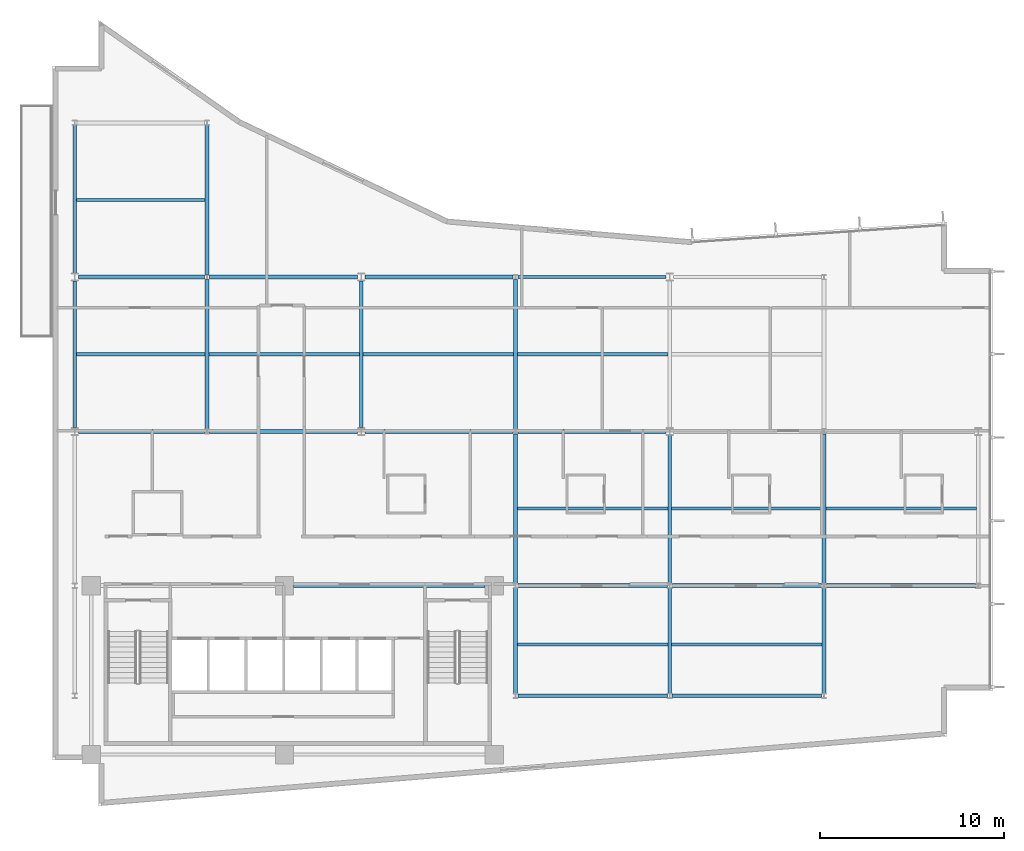
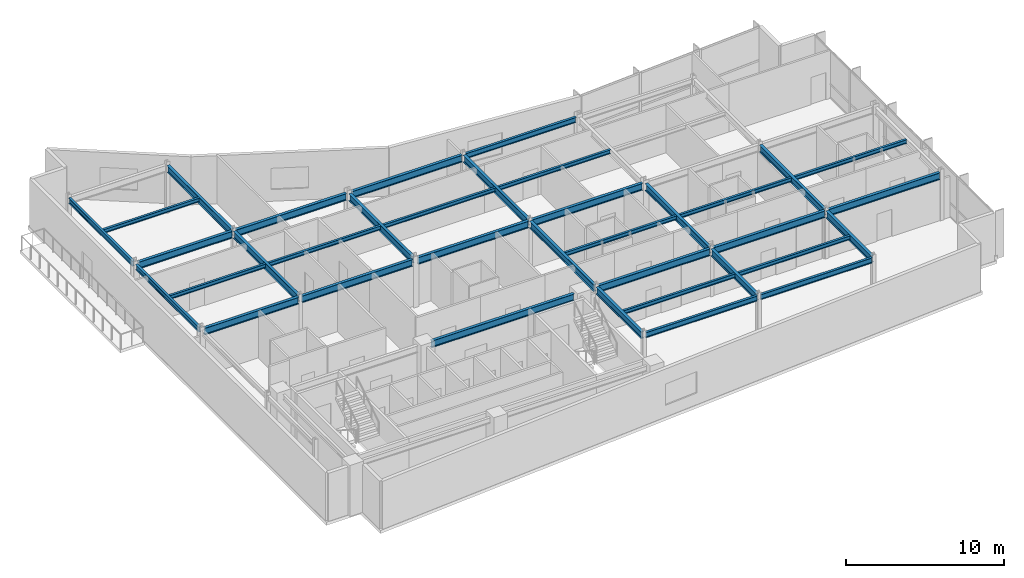
# One storey, part 4 of 17: 36 beams.
"""IFC4 building model written with IfcOpenShell, lengths in metres."""

import ifcopenshell
import ifcopenshell.guid

model = None  # the IFC model being written
_history = None  # IfcOwnerHistory: only IFC2X3 demands one
_inside = {}  # id of a spatial element -> (the spatial element, [elements in it])
_under = {}  # id of a project, library or spatial element -> (it, [spatial elements below it])
_declared = {}  # id of a project -> (the project, [libraries it declares])
_typed = {}  # id of a type object -> (the type object, [elements of that type])
_made_of = {}  # id of a material, layer set ... -> (it, [elements and type objects made of it])


def new_model(schema):
    """Start an empty IFC model of exactly this schema.

    Asked for "IFC4X3", IfcOpenShell would pick the latest addendum, in which some entities
    have other attributes; the version numbers below select the first issue.
    IFC2X3 requires an IfcOwnerHistory on every rooted entity: one is made here for all.
    """
    global model, _history
    if schema == "IFC4X3":
        model = ifcopenshell.file(schema_version=(4, 3, 0, 0))
    else:
        model = ifcopenshell.file(schema=schema)
    _inside.clear()
    _under.clear()
    _declared.clear()
    _typed.clear()
    _made_of.clear()
    _history = None
    if model.schema == "IFC2X3":
        org = make("IfcOrganization", Name="unknown")
        user = make(
            "IfcPersonAndOrganization",
            ThePerson=make("IfcPerson", FamilyName="unknown"),
            TheOrganization=org,
        )
        app = make(
            "IfcApplication",
            ApplicationDeveloper=org,
            Version="unknown",
            ApplicationFullName="unknown",
            ApplicationIdentifier="unknown",
        )
        _history = make(
            "IfcOwnerHistory",
            OwningUser=user,
            OwningApplication=app,
            ChangeAction="ADDED",
            CreationDate=0,
        )
    return model


def make(cls, **values):
    """One entity of the class cls with the attributes given. An attribute that is None is left unset."""
    return model.create_entity(
        cls, **{name: value for name, value in values.items() if value is not None}
    )


def rooted(cls, **values):
    """An entity with a GlobalId (a new one), such as an element, a storey or a relation."""
    return make(cls, GlobalId=ifcopenshell.guid.new(), OwnerHistory=_history, **values)


def si_unit(unit_type, name, prefix=None):
    """IfcSIUnit, for example si_unit("LENGTHUNIT", "METRE", prefix="MILLI")."""
    return make("IfcSIUnit", UnitType=unit_type, Prefix=prefix, Name=name)


def assignment(units):
    """IfcUnitAssignment: the units of a project."""
    return None if units is None else make("IfcUnitAssignment", Units=units)


def point(xyz):
    """IfcCartesianPoint."""
    return None if xyz is None else make("IfcCartesianPoint", Coordinates=xyz)


def direction(xyz):
    """IfcDirection."""
    return None if xyz is None else make("IfcDirection", DirectionRatios=xyz)


def frame(location, z_axis=None, x_axis=None):
    """IfcAxis2Placement3D, a coordinate frame: its origin and axes. An axis left out is left unset."""
    return make(
        "IfcAxis2Placement3D",
        Location=point(location),
        Axis=direction(z_axis),
        RefDirection=direction(x_axis),
    )


def frame_2d(location, x_axis=None):
    """IfcAxis2Placement2D, a coordinate frame in the plane: its origin and x axis."""
    return make(
        "IfcAxis2Placement2D", Location=point(location), RefDirection=direction(x_axis)
    )


def origin():
    """The frame at (0, 0, 0) with its axes left unset."""
    return frame((0.0, 0.0, 0.0))


def origin_2d():
    """The frame at (0, 0) in the plane with its x axis left unset."""
    return frame_2d((0.0, 0.0))


def place(relative_to, where):
    """IfcLocalPlacement: puts the frame where relative to a parent placement (None: the world)."""
    return make(
        "IfcLocalPlacement", PlacementRelTo=relative_to, RelativePlacement=where
    )


def context(
    kind, dimensions, precision=None, world=None, true_north=None, identifier=None
):
    """IfcGeometricRepresentationContext, for example the 3D "Model" context."""
    return make(
        "IfcGeometricRepresentationContext",
        ContextIdentifier=identifier,
        ContextType=kind,
        CoordinateSpaceDimension=dimensions,
        Precision=precision,
        WorldCoordinateSystem=world,
        TrueNorth=true_north,
    )


def subcontext(parent, identifier, kind, view, scale=None):
    """IfcGeometricRepresentationSubContext, for example "Body" below "Model"."""
    return make(
        "IfcGeometricRepresentationSubContext",
        ContextIdentifier=identifier,
        ContextType=kind,
        ParentContext=parent,
        TargetScale=scale,
        TargetView=view,
    )


def project(units=None, contexts=None):
    """IfcProject with its units and contexts."""
    return rooted(
        "IfcProject",
        Name="project",
        RepresentationContexts=contexts,
        UnitsInContext=assignment(units),
    )


def spatial(cls, under=None, at=None, **own):
    """A site, building, storey or space (cls), placed at a placement, below another one or the project."""
    s = rooted(cls, ObjectPlacement=at, **own)
    if under is not None:
        _under.setdefault(under.id(), (under, []))[1].append(s)
    return s


def profile(cls, at=None, kind="AREA", **sizes):
    """A parametric profile (cls). Its sizes go by their IFC names, for example OverallWidth=200.0."""
    return make(cls, ProfileType=kind, Position=at, **sizes)


def i_section(**sizes):
    """IfcIShapeProfileDef."""
    return profile("IfcIShapeProfileDef", **sizes)


def extrude(swept, where, along, depth):
    """IfcExtrudedAreaSolid: the profile swept, set in the frame where, extruded along a direction by depth."""
    return make(
        "IfcExtrudedAreaSolid",
        SweptArea=swept,
        Position=where,
        ExtrudedDirection=direction(along),
        Depth=depth,
    )


def shape(context_of_items, identifier, shape_type, items):
    """IfcShapeRepresentation: the items that make up one representation, for example the "Body"."""
    return make(
        "IfcShapeRepresentation",
        ContextOfItems=context_of_items,
        RepresentationIdentifier=identifier,
        RepresentationType=shape_type,
        Items=items,
    )


def material(Name=None, Category=None):
    """IfcMaterial."""
    return make("IfcMaterial", Name=Name, Category=Category)


def material_profile(
    of_material, cross_section, Name=None, Category=None, Priority=None
):
    """IfcMaterialProfile: a cross section and its material."""
    return make(
        "IfcMaterialProfile",
        Name=Name,
        Material=of_material,
        Profile=cross_section,
        Priority=Priority,
        Category=Category,
    )


def profile_set(profiles, Name=None, composite=None):
    """IfcMaterialProfileSet."""
    return make(
        "IfcMaterialProfileSet",
        Name=Name,
        MaterialProfiles=profiles,
        CompositeProfile=composite,
    )


def made_of(thing, what):
    """Note that an element or type object is made of a material, layer set ...; save() writes the relation."""
    if what is not None:
        _made_of.setdefault(what.id(), (what, []))[1].append(thing)
    return thing


def type_object(cls, material=None, **own):
    """A type object (cls), such as IfcWallType, which elements share."""
    return made_of(rooted(cls, **own), material)


def element(
    cls,
    number,
    at=None,
    inside=None,
    cuts=None,
    type_object=None,
    material=None,
    context=None,
    identifier="Body",
    shape_type=None,
    held_by="IfcProductDefinitionShape",
    body=None,
    shapes=None,
    **own,
):
    """One element of the class cls, such as IfcWall. Its Tag is "e" and its number.

    at: its placement. inside: the storey or other place that contains it. cuts: it is an
    opening in that element (IfcRelVoidsElement). A single representation is given by context,
    identifier, shape_type and body (its items); several are given by shapes. held_by: the class
    of the entity that holds the representations. save() writes the other relations.
    """
    e = rooted(cls, Tag="e%d" % number, ObjectPlacement=at, **own)
    if body is not None:
        shapes = [shape(context, identifier, shape_type, body)]
    if shapes is not None:
        e.Representation = make(held_by, Representations=shapes)
    if inside is not None:
        _inside.setdefault(inside.id(), (inside, []))[1].append(e)
    if cuts is not None:
        rooted(
            "IfcRelVoidsElement", RelatingBuildingElement=cuts, RelatedOpeningElement=e
        )
    if type_object is not None:
        _typed.setdefault(type_object.id(), (type_object, []))[1].append(e)
    return made_of(e, material)


def aggregate(whole, parts):
    """IfcRelAggregates: a whole, such as a stair, and the parts it consists of."""
    return rooted("IfcRelAggregates", RelatingObject=whole, RelatedObjects=parts)


def save(model, path):
    """Write the relations noted so far, then the file.

    IfcRelAggregates (storeys below a building ...), IfcRelContainedInSpatialStructure (elements
    in a storey), IfcRelDefinesByType, IfcRelAssociatesMaterial and IfcRelDeclares: one each for
    every whole, place, type object, material and project.
    """
    for whole, parts in _under.values():
        aggregate(whole, parts)
    for where, things in _inside.values():
        rooted(
            "IfcRelContainedInSpatialStructure",
            RelatedElements=things,
            RelatingStructure=where,
        )
    for kind, things in _typed.values():
        rooted("IfcRelDefinesByType", RelatedObjects=things, RelatingType=kind)
    for what, things in _made_of.values():
        rooted("IfcRelAssociatesMaterial", RelatedObjects=things, RelatingMaterial=what)
    for by, libraries in _declared.values():
        rooted("IfcRelDeclares", RelatingContext=by, RelatedDefinitions=libraries)
    model.write(path)


model = new_model("IFC4")

# Units and contexts
model_context = context("Model", 3, precision=1e-05, world=origin(), true_north=direction((0.0, 1.0)))
body_context = subcontext(model_context, "Body", "Model", "MODEL_VIEW")
ifc_project = project(units=[si_unit("LENGTHUNIT", "METRE"), si_unit("AREAUNIT", "SQUARE_METRE"), si_unit("VOLUMEUNIT", "CUBIC_METRE"), si_unit("PLANEANGLEUNIT", "RADIAN"), si_unit("MASSUNIT", "GRAM", prefix="KILO")], contexts=[model_context])

# Site, building, storey
site_placement = place(None, origin())
site = spatial("IfcSite", under=ifc_project, at=site_placement, CompositionType="ELEMENT")
building_placement = place(site_placement, origin())
building = spatial("IfcBuilding", under=site, at=building_placement, Name="Varnakote Quay Hospital", CompositionType="ELEMENT")
storey_placement = place(building_placement, frame((0.0, 0.0, 203.949951171875)))
storey = spatial("IfcBuildingStorey", under=building, at=storey_placement, Name="L50", CompositionType="ELEMENT", Elevation=203.949951171875)

# Beams
ifc_material_1 = material(Name="Structural steel AS/NZS 3679.1 Grade 350 L0 (fy 340 MPa)", Category="steel")
ifc_material_profile_1 = material_profile(ifc_material_1, i_section(OverallWidth=0.208984375, OverallDepth=0.528076171875, WebThickness=0.009521484375, FlangeThickness=0.01318359375, FilletRadius=0.013916015625, at=origin_2d()), Name="530UB82.0")
ifc_profile_set_1 = profile_set([ifc_material_profile_1], Name="Structural steel AS/NZS 3679.1 Grade 350 L0 (fy 340 MPa)")
beam_type_1 = type_object("IfcBeamType", Name="BM-STL-530UB82-0", PredefinedType="BEAM", material=ifc_profile_set_1)
beam_1_placement = place(storey_placement, frame((8.39990234375, 20.530029296875, 3.446044921875), z_axis=(0.0, 1.0, 0.0), x_axis=(-1.0, 0.0, 0.0)))
element("IfcBeam", 1, at=beam_1_placement, inside=storey, type_object=beam_type_1, Name="L50 Primary Tie Beam", PredefinedType="BEAM", context=body_context, shape_type="SweptSolid", body=[
    extrude(i_section(OverallWidth=0.208984375, OverallDepth=0.528076171875, WebThickness=0.009521484375, FlangeThickness=0.01318359375, FilletRadius=0.013916015625, at=origin_2d()), origin(), (0.0, 0.0, 1.0), 8.139892578125),
])
beam_2_placement = place(storey_placement, frame((8.39990234375, 28.929931640625, 3.446044921875), z_axis=(0.0, 1.0, 0.0), x_axis=(-1.0, 0.0, 0.0)))
element("IfcBeam", 2, at=beam_2_placement, inside=storey, type_object=beam_type_1, Name="L50 Primary Tie Beam", PredefinedType="BEAM", context=body_context, shape_type="SweptSolid", body=[
    extrude(i_section(OverallWidth=0.208984375, OverallDepth=0.528076171875, WebThickness=0.009521484375, FlangeThickness=0.01318359375, FilletRadius=0.013916015625, at=origin_2d()), origin(), (0.0, 0.0, 1.0), 8.14013671875),
])
beam_3_placement = place(storey_placement, frame((16.800048828125, 20.60205078125, 3.446044921875), z_axis=(0.0, 1.0, 0.0), x_axis=(-1.0, 0.0, 0.0)))
element("IfcBeam", 3, at=beam_3_placement, inside=storey, type_object=beam_type_1, Name="L50 Primary Tie Beam", PredefinedType="BEAM", context=body_context, shape_type="SweptSolid", body=[
    extrude(i_section(OverallWidth=0.208984375, OverallDepth=0.528076171875, WebThickness=0.009521484375, FlangeThickness=0.01318359375, FilletRadius=0.013916015625, at=origin_2d()), origin(), (0.0, 0.0, 1.0), 7.995849609375),
])
beam_4_placement = place(storey_placement, frame((25.199951171875, 6.1298828125, 3.446044921875), z_axis=(0.0, 1.0, 0.0), x_axis=(-1.0, 0.0, 0.0)))
element("IfcBeam", 4, at=beam_4_placement, inside=storey, type_object=beam_type_1, Name="L50 Primary Tie Beam", PredefinedType="BEAM", context=body_context, shape_type="SweptSolid", body=[
    extrude(i_section(OverallWidth=0.208984375, OverallDepth=0.528076171875, WebThickness=0.009521484375, FlangeThickness=0.01318359375, FilletRadius=0.013916015625, at=origin_2d()), origin(), (0.0, 0.0, 1.0), 5.740234375),
])
beam_5_placement = place(storey_placement, frame((25.199951171875, 12.1298828125, 3.446044921875), z_axis=(0.0, 1.0, 0.0), x_axis=(-1.0, 0.0, 0.0)))
element("IfcBeam", 5, at=beam_5_placement, inside=storey, type_object=beam_type_1, Name="L50 Primary Tie Beam", PredefinedType="BEAM", context=body_context, shape_type="SweptSolid", body=[
    extrude(i_section(OverallWidth=0.208984375, OverallDepth=0.528076171875, WebThickness=0.009521484375, FlangeThickness=0.01318359375, FilletRadius=0.013916015625, at=origin_2d()), origin(), (0.0, 0.0, 1.0), 8.14013671875),
])
beam_6_placement = place(storey_placement, frame((25.199951171875, 20.530029296875, 3.446044921875), z_axis=(0.0, 1.0, 0.0), x_axis=(-1.0, 0.0, 0.0)))
element("IfcBeam", 6, at=beam_6_placement, inside=storey, type_object=beam_type_1, Name="L50 Primary Tie Beam", PredefinedType="BEAM", context=body_context, shape_type="SweptSolid", body=[
    extrude(i_section(OverallWidth=0.208984375, OverallDepth=0.528076171875, WebThickness=0.009521484375, FlangeThickness=0.01318359375, FilletRadius=0.013916015625, at=origin_2d()), origin(), (0.0, 0.0, 1.0), 8.139892578125),
])
beam_7_placement = place(storey_placement, frame((33.60009765625, 6.1298828125, 3.446044921875), z_axis=(0.0, 1.0, 0.0), x_axis=(-1.0, 0.0, 0.0)))
element("IfcBeam", 7, at=beam_7_placement, inside=storey, type_object=beam_type_1, Name="L50 Primary Tie Beam", PredefinedType="BEAM", context=body_context, shape_type="SweptSolid", body=[
    extrude(i_section(OverallWidth=0.208984375, OverallDepth=0.528076171875, WebThickness=0.009521484375, FlangeThickness=0.01318359375, FilletRadius=0.013916015625, at=origin_2d()), origin(), (0.0, 0.0, 1.0), 5.740234375),
])
beam_8_placement = place(storey_placement, frame((33.60009765625, 12.1298828125, 3.446044921875), z_axis=(0.0, 1.0, 0.0), x_axis=(-1.0, 0.0, 0.0)))
element("IfcBeam", 8, at=beam_8_placement, inside=storey, type_object=beam_type_1, Name="L50 Primary Tie Beam", PredefinedType="BEAM", context=body_context, shape_type="SweptSolid", body=[
    extrude(i_section(OverallWidth=0.208984375, OverallDepth=0.528076171875, WebThickness=0.009521484375, FlangeThickness=0.01318359375, FilletRadius=0.013916015625, at=origin_2d()), origin(), (0.0, 0.0, 1.0), 8.068115234375),
])
beam_9_placement = place(storey_placement, frame((42.0, 6.1298828125, 3.446044921875), z_axis=(0.0, 1.0, 0.0), x_axis=(-1.0, 0.0, 0.0)))
element("IfcBeam", 9, at=beam_9_placement, inside=storey, type_object=beam_type_1, Name="L50 Primary Tie Beam", PredefinedType="BEAM", context=body_context, shape_type="SweptSolid", body=[
    extrude(i_section(OverallWidth=0.208984375, OverallDepth=0.528076171875, WebThickness=0.009521484375, FlangeThickness=0.01318359375, FilletRadius=0.013916015625, at=origin_2d()), origin(), (0.0, 0.0, 1.0), 5.740234375),
])
beam_10_placement = place(storey_placement, frame((42.0, 12.1298828125, 3.446044921875), z_axis=(0.0, 1.0, 0.0), x_axis=(-1.0, 0.0, 0.0)))
element("IfcBeam", 10, at=beam_10_placement, inside=storey, type_object=beam_type_1, Name="L50 Primary Tie Beam", PredefinedType="BEAM", context=body_context, shape_type="SweptSolid", body=[
    extrude(i_section(OverallWidth=0.208984375, OverallDepth=0.528076171875, WebThickness=0.009521484375, FlangeThickness=0.01318359375, FilletRadius=0.013916015625, at=origin_2d()), origin(), (0.0, 0.0, 1.0), 8.14013671875),
])
ifc_material_2 = material(Name="Structural steel AS/NZS 3679.1 Grade 350 L0 (fy 340 MPa)", Category="steel")
ifc_material_profile_2 = material_profile(ifc_material_2, i_section(OverallWidth=0.208984375, OverallDepth=0.532958984375, WebThickness=0.01025390625, FlangeThickness=0.015625, FilletRadius=0.013916015625, at=origin_2d()), Name="530UB92.4")
ifc_profile_set_2 = profile_set([ifc_material_profile_2], Name="Structural steel AS/NZS 3679.1 Grade 350 L0 (fy 340 MPa)")
beam_type_2 = type_object("IfcBeamType", Name="BM-STL-530UB92-4", PredefinedType="BEAM", material=ifc_profile_set_2)
beam_11_placement = place(storey_placement, frame((13.1201171875, 12.0, 3.443603515625), z_axis=(1.0, 0.0, 0.0), x_axis=(0.0, 1.0, 0.0)))
element("IfcBeam", 11, at=beam_11_placement, inside=storey, type_object=beam_type_2, Name="L50 Primary Floor Beam", PredefinedType="BEAM", context=body_context, shape_type="SweptSolid", body=[
    extrude(i_section(OverallWidth=0.208984375, OverallDepth=0.532958984375, WebThickness=0.01025390625, FlangeThickness=0.015625, FilletRadius=0.013916015625, at=origin_2d()), origin(), (0.0, 0.0, 1.0), 10.429931640625),
])
for number, where, z_axis, x_axis, name in (
    (12, (25.327880859375, 12.0, 3.443603515625), (1.0, 0.0, 0.0), (0.0, 1.0, 0.0), "L50 Primary Floor Beam"),
    (13, (33.72802734375, 12.0, 3.443603515625), (1.0, 0.0, 0.0), (0.0, 1.0, 0.0), "L50 Primary Floor Beam"),
    (14, (42.1279296875, 12.0, 3.443603515625), (1.0, 0.0, 0.0), (0.0, 1.0, 0.0), "L50 Primary Floor Beam"),
):
    element("IfcBeam", number, at=place(storey_placement, frame(where, z_axis=z_axis, x_axis=x_axis)), inside=storey, type_object=beam_type_2, Name=name, PredefinedType="BEAM", context=body_context, shape_type="SweptSolid", body=[
        extrude(i_section(OverallWidth=0.208984375, OverallDepth=0.532958984375, WebThickness=0.01025390625, FlangeThickness=0.015625, FilletRadius=0.013916015625, at=origin_2d()), origin(), (0.0, 0.0, 1.0), 8.14404296875),
    ])
beam_12_placement = place(storey_placement, frame((1.39990234375, 20.39990234375, 3.443603515625), z_axis=(1.0, 0.0, 0.0), x_axis=(0.0, 1.0, 0.0)))
element("IfcBeam", 15, at=beam_12_placement, inside=storey, type_object=beam_type_2, Name="L50 Primary Floor Beam", PredefinedType="BEAM", context=body_context, shape_type="SweptSolid", body=[
    extrude(i_section(OverallWidth=0.208984375, OverallDepth=0.532958984375, WebThickness=0.01025390625, FlangeThickness=0.015625, FilletRadius=0.013916015625, at=origin_2d()), origin(), (0.0, 0.0, 1.0), 6.8720703125),
])
for number, where, z_axis, x_axis, name in (
    (16, (8.528076171875, 20.39990234375, 3.443603515625), (1.0, 0.0, 0.0), (0.0, 1.0, 0.0), "L50 Primary Floor Beam"),
    (17, (17.0, 20.39990234375, 3.443603515625), (1.0, 0.0, 0.0), (0.0, 1.0, 0.0), "L50 Primary Floor Beam"),
    (18, (25.327880859375, 20.39990234375, 3.443603515625), (1.0, 0.0, 0.0), (0.0, 1.0, 0.0), "L50 Primary Floor Beam"),
):
    element("IfcBeam", number, at=place(storey_placement, frame(where, z_axis=z_axis, x_axis=x_axis)), inside=storey, type_object=beam_type_2, Name=name, PredefinedType="BEAM", context=body_context, shape_type="SweptSolid", body=[
        extrude(i_section(OverallWidth=0.208984375, OverallDepth=0.532958984375, WebThickness=0.01025390625, FlangeThickness=0.015625, FilletRadius=0.013916015625, at=origin_2d()), origin(), (0.0, 0.0, 1.0), 8.072021484375),
    ])
beam_13_placement = place(storey_placement, frame((1.39990234375, 28.800048828125, 3.443603515625), z_axis=(1.0, 0.0, 0.0), x_axis=(0.0, 1.0, 0.0)))
element("IfcBeam", 19, at=beam_13_placement, inside=storey, type_object=beam_type_2, Name="L50 Primary Floor Beam", PredefinedType="BEAM", context=body_context, shape_type="SweptSolid", body=[
    extrude(i_section(OverallWidth=0.208984375, OverallDepth=0.532958984375, WebThickness=0.01025390625, FlangeThickness=0.015625, FilletRadius=0.013916015625, at=origin_2d()), origin(), (0.0, 0.0, 1.0), 6.8720703125),
])
for number, where, z_axis, x_axis, name in (
    (20, (8.528076171875, 28.800048828125, 3.443603515625), (1.0, 0.0, 0.0), (0.0, 1.0, 0.0), "L50 Primary Floor Beam"),
    (21, (17.0, 28.800048828125, 3.443603515625), (1.0, 0.0, 0.0), (0.0, 1.0, 0.0), "L50 Primary Floor Beam"),
):
    element("IfcBeam", number, at=place(storey_placement, frame(where, z_axis=z_axis, x_axis=x_axis)), inside=storey, type_object=beam_type_2, Name=name, PredefinedType="BEAM", context=body_context, shape_type="SweptSolid", body=[
        extrude(i_section(OverallWidth=0.208984375, OverallDepth=0.532958984375, WebThickness=0.01025390625, FlangeThickness=0.015625, FilletRadius=0.013916015625, at=origin_2d()), origin(), (0.0, 0.0, 1.0), 8.072021484375),
    ])
ifc_material_3 = material(Name="Structural steel AS/NZS 3679.1 Grade 350 L0 (fy 340 MPa)", Category="steel")
ifc_material_profile_3 = material_profile(ifc_material_3, i_section(OverallWidth=0.1650390625, OverallDepth=0.303955078125, WebThickness=0.006103515625, FlangeThickness=0.01025390625, FilletRadius=0.011474609375, at=origin_2d()), Name="310UB40.4")
ifc_profile_set_3 = profile_set([ifc_material_profile_3], Name="Structural steel AS/NZS 3679.1 Grade 350 L0 (fy 340 MPa)")
beam_type_3 = type_object("IfcBeamType", Name="JST-STL-310UB40-4", PredefinedType="JOIST", material=ifc_profile_set_3)
beam_14_placement = place(storey_placement, frame((25.304443359375, 8.800048828125, 3.55810546875), z_axis=(1.0, 0.0, 0.0), x_axis=(0.0, 1.0, 0.0)))
element("IfcBeam", 22, at=beam_14_placement, inside=storey, type_object=beam_type_3, Name="L50 Composite Floor Joist", PredefinedType="JOIST", context=body_context, shape_type="SweptSolid", body=[
    extrude(i_section(OverallWidth=0.1650390625, OverallDepth=0.303955078125, WebThickness=0.006103515625, FlangeThickness=0.01025390625, FilletRadius=0.011474609375, at=origin_2d()), origin(), (0.0, 0.0, 1.0), 8.191162109375),
])
beam_15_placement = place(storey_placement, frame((33.70458984375, 8.800048828125, 3.55810546875), z_axis=(1.0, 0.0, 0.0), x_axis=(0.0, 1.0, 0.0)))
element("IfcBeam", 23, at=beam_15_placement, inside=storey, type_object=beam_type_3, Name="L50 Composite Floor Joist", PredefinedType="JOIST", context=body_context, shape_type="SweptSolid", body=[
    extrude(i_section(OverallWidth=0.1650390625, OverallDepth=0.303955078125, WebThickness=0.006103515625, FlangeThickness=0.01025390625, FilletRadius=0.011474609375, at=origin_2d()), origin(), (0.0, 0.0, 1.0), 8.19091796875),
])
beam_16_placement = place(storey_placement, frame((25.304443359375, 16.199951171875, 3.55810546875), z_axis=(1.0, 0.0, 0.0), x_axis=(0.0, 1.0, 0.0)))
element("IfcBeam", 24, at=beam_16_placement, inside=storey, type_object=beam_type_3, Name="L50 Composite Floor Joist", PredefinedType="JOIST", context=body_context, shape_type="SweptSolid", body=[
    extrude(i_section(OverallWidth=0.1650390625, OverallDepth=0.303955078125, WebThickness=0.006103515625, FlangeThickness=0.01025390625, FilletRadius=0.011474609375, at=origin_2d()), origin(), (0.0, 0.0, 1.0), 8.191162109375),
])
for number, where, z_axis, x_axis, name in (
    (25, (33.70458984375, 16.199951171875, 3.55810546875), (1.0, 0.0, 0.0), (0.0, 1.0, 0.0), "L50 Composite Floor Joist"),
    (26, (42.1044921875, 16.199951171875, 3.55810546875), (1.0, 0.0, 0.0), (0.0, 1.0, 0.0), "L50 Composite Floor Joist"),
):
    element("IfcBeam", number, at=place(storey_placement, frame(where, z_axis=z_axis, x_axis=x_axis)), inside=storey, type_object=beam_type_3, Name=name, PredefinedType="JOIST", context=body_context, shape_type="SweptSolid", body=[
        extrude(i_section(OverallWidth=0.1650390625, OverallDepth=0.303955078125, WebThickness=0.006103515625, FlangeThickness=0.01025390625, FilletRadius=0.011474609375, at=origin_2d()), origin(), (0.0, 0.0, 1.0), 8.19091796875),
    ])
beam_17_placement = place(storey_placement, frame((1.2890625, 24.60009765625, 3.55810546875), z_axis=(1.0, 0.0, 0.0), x_axis=(0.0, 1.0, 0.0)))
element("IfcBeam", 27, at=beam_17_placement, inside=storey, type_object=beam_type_3, Name="L50 Composite Floor Joist", PredefinedType="JOIST", context=body_context, shape_type="SweptSolid", body=[
    extrude(i_section(OverallWidth=0.1650390625, OverallDepth=0.303955078125, WebThickness=0.006103515625, FlangeThickness=0.01025390625, FilletRadius=0.011474609375, at=origin_2d()), origin(), (0.0, 0.0, 1.0), 7.00634765625),
])
beam_18_placement = place(storey_placement, frame((8.50439453125, 24.60009765625, 3.55810546875), z_axis=(1.0, 0.0, 0.0), x_axis=(0.0, 1.0, 0.0)))
element("IfcBeam", 28, at=beam_18_placement, inside=storey, type_object=beam_type_3, Name="L50 Composite Floor Joist", PredefinedType="JOIST", context=body_context, shape_type="SweptSolid", body=[
    extrude(i_section(OverallWidth=0.1650390625, OverallDepth=0.303955078125, WebThickness=0.006103515625, FlangeThickness=0.01025390625, FilletRadius=0.011474609375, at=origin_2d()), origin(), (0.0, 0.0, 1.0), 8.191162109375),
])
beam_19_placement = place(storey_placement, frame((16.904541015625, 24.60009765625, 3.55810546875), z_axis=(1.0, 0.0, 0.0), x_axis=(0.0, 1.0, 0.0)))
element("IfcBeam", 29, at=beam_19_placement, inside=storey, type_object=beam_type_3, Name="L50 Composite Floor Joist", PredefinedType="JOIST", context=body_context, shape_type="SweptSolid", body=[
    extrude(i_section(OverallWidth=0.1650390625, OverallDepth=0.303955078125, WebThickness=0.006103515625, FlangeThickness=0.01025390625, FilletRadius=0.011474609375, at=origin_2d()), origin(), (0.0, 0.0, 1.0), 8.19091796875),
])
beam_20_placement = place(storey_placement, frame((25.304443359375, 24.60009765625, 3.55810546875), z_axis=(1.0, 0.0, 0.0), x_axis=(0.0, 1.0, 0.0)))
element("IfcBeam", 30, at=beam_20_placement, inside=storey, type_object=beam_type_3, Name="L50 Composite Floor Joist", PredefinedType="JOIST", context=body_context, shape_type="SweptSolid", body=[
    extrude(i_section(OverallWidth=0.1650390625, OverallDepth=0.303955078125, WebThickness=0.006103515625, FlangeThickness=0.01025390625, FilletRadius=0.011474609375, at=origin_2d()), origin(), (0.0, 0.0, 1.0), 8.191162109375),
])
beam_21_placement = place(storey_placement, frame((1.2890625, 33.0, 3.55810546875), z_axis=(1.0, 0.0, 0.0), x_axis=(0.0, 1.0, 0.0)))
element("IfcBeam", 31, at=beam_21_placement, inside=storey, type_object=beam_type_3, Name="L50 Composite Floor Joist", PredefinedType="JOIST", context=body_context, shape_type="SweptSolid", body=[
    extrude(i_section(OverallWidth=0.1650390625, OverallDepth=0.303955078125, WebThickness=0.006103515625, FlangeThickness=0.01025390625, FilletRadius=0.011474609375, at=origin_2d()), origin(), (0.0, 0.0, 1.0), 7.00634765625),
])
ifc_material_4 = material(Name="Structural steel AS/NZS 3679.1 Grade 350 L0 (fy 340 MPa)", Category="steel")
ifc_material_profile_4 = material_profile(ifc_material_4, i_section(OverallWidth=0.177978515625, OverallDepth=0.403076171875, WebThickness=0.007568359375, FlangeThickness=0.010986328125, FilletRadius=0.011474609375, at=origin_2d()), Name="410UB53.7")
ifc_profile_set_4 = profile_set([ifc_material_profile_4], Name="Structural steel AS/NZS 3679.1 Grade 350 L0 (fy 340 MPa)")
beam_type_4 = type_object("IfcBeamType", Name="SPN-STL-410UB53-7", PredefinedType="SPANDREL", material=ifc_profile_set_4)
beam_22_placement = place(storey_placement, frame((1.199951171875, 20.60205078125, 3.508544921875), z_axis=(0.0, 1.0, 0.0), x_axis=(-1.0, 0.0, 0.0)))
element("IfcBeam", 32, at=beam_22_placement, inside=storey, type_object=beam_type_4, Name="L50 Perimeter Spandrel Beam", PredefinedType="SPANDREL", context=body_context, shape_type="SweptSolid", body=[
    extrude(i_section(OverallWidth=0.177978515625, OverallDepth=0.403076171875, WebThickness=0.007568359375, FlangeThickness=0.010986328125, FilletRadius=0.011474609375, at=origin_2d()), origin(), (0.0, 0.0, 1.0), 7.995849609375),
])
beam_23_placement = place(storey_placement, frame((1.199951171875, 29.001953125, 3.508544921875), z_axis=(0.0, 1.0, 0.0), x_axis=(-1.0, 0.0, 0.0)))
element("IfcBeam", 33, at=beam_23_placement, inside=storey, type_object=beam_type_4, Name="L50 Perimeter Spandrel Beam", PredefinedType="SPANDREL", context=body_context, shape_type="SweptSolid", body=[
    extrude(i_section(OverallWidth=0.177978515625, OverallDepth=0.403076171875, WebThickness=0.007568359375, FlangeThickness=0.010986328125, FilletRadius=0.011474609375, at=origin_2d()), origin(), (0.0, 0.0, 1.0), 8.068115234375),
])
ifc_material_5 = material(Name="Structural steel AS/NZS 3679.1 Grade 350 L0 (fy 340 MPa)", Category="steel")
ifc_material_profile_5 = material_profile(ifc_material_5, i_section(OverallWidth=0.177978515625, OverallDepth=0.406005859375, WebThickness=0.0078125, FlangeThickness=0.0126953125, FilletRadius=0.011474609375, at=origin_2d()), Name="410UB59.7")
ifc_profile_set_5 = profile_set([ifc_material_profile_5], Name="Structural steel AS/NZS 3679.1 Grade 350 L0 (fy 340 MPa)")
beam_type_5 = type_object("IfcBeamType", Name="SPN-STL-410UB59-7", PredefinedType="SPANDREL", material=ifc_profile_set_5)
for number, where, z_axis, x_axis, name in (
    (34, (25.327880859375, 6.0, 3.507080078125), (1.0, 0.0, 0.0), (0.0, 1.0, 0.0), "L50 Perimeter Spandrel Beam"),
    (35, (33.72802734375, 6.0, 3.507080078125), (1.0, 0.0, 0.0), (0.0, 1.0, 0.0), "L50 Perimeter Spandrel Beam"),
):
    element("IfcBeam", number, at=place(storey_placement, frame(where, z_axis=z_axis, x_axis=x_axis)), inside=storey, type_object=beam_type_5, Name=name, PredefinedType="SPANDREL", context=body_context, shape_type="SweptSolid", body=[
        extrude(i_section(OverallWidth=0.177978515625, OverallDepth=0.406005859375, WebThickness=0.0078125, FlangeThickness=0.0126953125, FilletRadius=0.011474609375, at=origin_2d()), origin(), (0.0, 0.0, 1.0), 8.14404296875),
    ])
beam_24_placement = place(storey_placement, frame((25.327880859375, 28.800048828125, 3.507080078125), z_axis=(1.0, 0.0, 0.0), x_axis=(0.0, 1.0, 0.0)))
element("IfcBeam", 36, at=beam_24_placement, inside=storey, type_object=beam_type_5, Name="L50 Perimeter Spandrel Beam", PredefinedType="SPANDREL", context=body_context, shape_type="SweptSolid", body=[
    extrude(i_section(OverallWidth=0.177978515625, OverallDepth=0.406005859375, WebThickness=0.0078125, FlangeThickness=0.0126953125, FilletRadius=0.011474609375, at=origin_2d()), origin(), (0.0, 0.0, 1.0), 8.072021484375),
])

save(model, "model.ifc")
